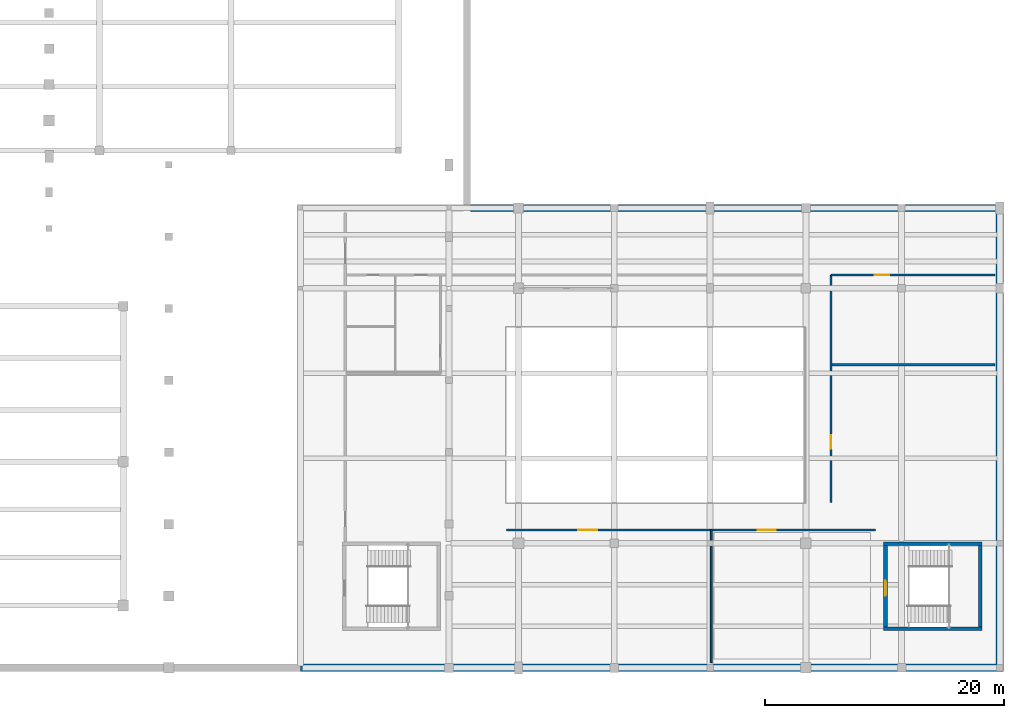
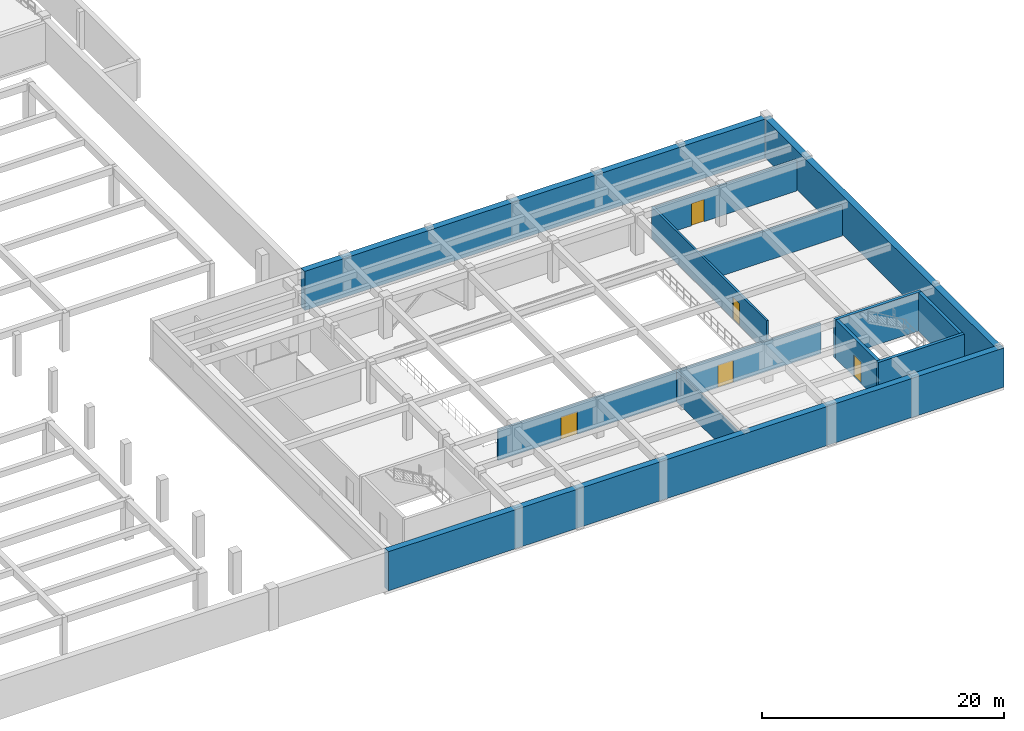
# One storey, part 27 of 35: 12 walls, 5 doors, 5 openings.
"""IFC4 building model written with IfcOpenShell, lengths in metres."""

import ifcopenshell
import ifcopenshell.guid

model = None  # the IFC model being written
_history = None  # IfcOwnerHistory: only IFC2X3 demands one
_inside = {}  # id of a spatial element -> (the spatial element, [elements in it])
_under = {}  # id of a project, library or spatial element -> (it, [spatial elements below it])
_declared = {}  # id of a project -> (the project, [libraries it declares])
_typed = {}  # id of a type object -> (the type object, [elements of that type])
_made_of = {}  # id of a material, layer set ... -> (it, [elements and type objects made of it])


def new_model(schema):
    """Start an empty IFC model of exactly this schema.

    Asked for "IFC4X3", IfcOpenShell would pick the latest addendum, in which some entities
    have other attributes; the version numbers below select the first issue.
    IFC2X3 requires an IfcOwnerHistory on every rooted entity: one is made here for all.
    """
    global model, _history
    if schema == "IFC4X3":
        model = ifcopenshell.file(schema_version=(4, 3, 0, 0))
    else:
        model = ifcopenshell.file(schema=schema)
    _inside.clear()
    _under.clear()
    _declared.clear()
    _typed.clear()
    _made_of.clear()
    _history = None
    if model.schema == "IFC2X3":
        org = make("IfcOrganization", Name="unknown")
        user = make(
            "IfcPersonAndOrganization",
            ThePerson=make("IfcPerson", FamilyName="unknown"),
            TheOrganization=org,
        )
        app = make(
            "IfcApplication",
            ApplicationDeveloper=org,
            Version="unknown",
            ApplicationFullName="unknown",
            ApplicationIdentifier="unknown",
        )
        _history = make(
            "IfcOwnerHistory",
            OwningUser=user,
            OwningApplication=app,
            ChangeAction="ADDED",
            CreationDate=0,
        )
    return model


def make(cls, **values):
    """One entity of the class cls with the attributes given. An attribute that is None is left unset."""
    return model.create_entity(
        cls, **{name: value for name, value in values.items() if value is not None}
    )


def rooted(cls, **values):
    """An entity with a GlobalId (a new one), such as an element, a storey or a relation."""
    return make(cls, GlobalId=ifcopenshell.guid.new(), OwnerHistory=_history, **values)


def si_unit(unit_type, name, prefix=None):
    """IfcSIUnit, for example si_unit("LENGTHUNIT", "METRE", prefix="MILLI")."""
    return make("IfcSIUnit", UnitType=unit_type, Prefix=prefix, Name=name)


def assignment(units):
    """IfcUnitAssignment: the units of a project."""
    return None if units is None else make("IfcUnitAssignment", Units=units)


def point(xyz):
    """IfcCartesianPoint."""
    return None if xyz is None else make("IfcCartesianPoint", Coordinates=xyz)


def direction(xyz):
    """IfcDirection."""
    return None if xyz is None else make("IfcDirection", DirectionRatios=xyz)


def frame(location, z_axis=None, x_axis=None):
    """IfcAxis2Placement3D, a coordinate frame: its origin and axes. An axis left out is left unset."""
    return make(
        "IfcAxis2Placement3D",
        Location=point(location),
        Axis=direction(z_axis),
        RefDirection=direction(x_axis),
    )


def frame_2d(location, x_axis=None):
    """IfcAxis2Placement2D, a coordinate frame in the plane: its origin and x axis."""
    return make(
        "IfcAxis2Placement2D", Location=point(location), RefDirection=direction(x_axis)
    )


def origin():
    """The frame at (0, 0, 0) with its axes left unset."""
    return frame((0.0, 0.0, 0.0))


def place(relative_to, where):
    """IfcLocalPlacement: puts the frame where relative to a parent placement (None: the world)."""
    return make(
        "IfcLocalPlacement", PlacementRelTo=relative_to, RelativePlacement=where
    )


def context(
    kind, dimensions, precision=None, world=None, true_north=None, identifier=None
):
    """IfcGeometricRepresentationContext, for example the 3D "Model" context."""
    return make(
        "IfcGeometricRepresentationContext",
        ContextIdentifier=identifier,
        ContextType=kind,
        CoordinateSpaceDimension=dimensions,
        Precision=precision,
        WorldCoordinateSystem=world,
        TrueNorth=true_north,
    )


def subcontext(parent, identifier, kind, view, scale=None):
    """IfcGeometricRepresentationSubContext, for example "Body" below "Model"."""
    return make(
        "IfcGeometricRepresentationSubContext",
        ContextIdentifier=identifier,
        ContextType=kind,
        ParentContext=parent,
        TargetScale=scale,
        TargetView=view,
    )


def project(units=None, contexts=None):
    """IfcProject with its units and contexts."""
    return rooted(
        "IfcProject",
        Name="project",
        RepresentationContexts=contexts,
        UnitsInContext=assignment(units),
    )


def spatial(cls, under=None, at=None, **own):
    """A site, building, storey or space (cls), placed at a placement, below another one or the project."""
    s = rooted(cls, ObjectPlacement=at, **own)
    if under is not None:
        _under.setdefault(under.id(), (under, []))[1].append(s)
    return s


def profile(cls, at=None, kind="AREA", **sizes):
    """A parametric profile (cls). Its sizes go by their IFC names, for example OverallWidth=200.0."""
    return make(cls, ProfileType=kind, Position=at, **sizes)


def rectangle(**sizes):
    """IfcRectangleProfileDef."""
    return profile("IfcRectangleProfileDef", **sizes)


def extrude(swept, where, along, depth):
    """IfcExtrudedAreaSolid: the profile swept, set in the frame where, extruded along a direction by depth."""
    return make(
        "IfcExtrudedAreaSolid",
        SweptArea=swept,
        Position=where,
        ExtrudedDirection=direction(along),
        Depth=depth,
    )


def shape(context_of_items, identifier, shape_type, items):
    """IfcShapeRepresentation: the items that make up one representation, for example the "Body"."""
    return make(
        "IfcShapeRepresentation",
        ContextOfItems=context_of_items,
        RepresentationIdentifier=identifier,
        RepresentationType=shape_type,
        Items=items,
    )


def material(Name=None, Category=None):
    """IfcMaterial."""
    return make("IfcMaterial", Name=Name, Category=Category)


def layer(
    of_material, thickness, ventilated=None, Name=None, Category=None, Priority=None
):
    """IfcMaterialLayer: one layer of a wall or slab, of a material (None: an air gap)."""
    return make(
        "IfcMaterialLayer",
        Material=of_material,
        LayerThickness=thickness,
        IsVentilated=ventilated,
        Name=Name,
        Category=Category,
        Priority=Priority,
    )


def layer_set(layers, Name=None):
    """IfcMaterialLayerSet."""
    return make("IfcMaterialLayerSet", MaterialLayers=layers, LayerSetName=Name)


def made_of(thing, what):
    """Note that an element or type object is made of a material, layer set ...; save() writes the relation."""
    if what is not None:
        _made_of.setdefault(what.id(), (what, []))[1].append(thing)
    return thing


def type_object(cls, material=None, **own):
    """A type object (cls), such as IfcWallType, which elements share."""
    return made_of(rooted(cls, **own), material)


def element(
    cls,
    number,
    at=None,
    inside=None,
    cuts=None,
    type_object=None,
    material=None,
    context=None,
    identifier="Body",
    shape_type=None,
    held_by="IfcProductDefinitionShape",
    body=None,
    shapes=None,
    **own,
):
    """One element of the class cls, such as IfcWall. Its Tag is "e" and its number.

    at: its placement. inside: the storey or other place that contains it. cuts: it is an
    opening in that element (IfcRelVoidsElement). A single representation is given by context,
    identifier, shape_type and body (its items); several are given by shapes. held_by: the class
    of the entity that holds the representations. save() writes the other relations.
    """
    e = rooted(cls, Tag="e%d" % number, ObjectPlacement=at, **own)
    if body is not None:
        shapes = [shape(context, identifier, shape_type, body)]
    if shapes is not None:
        e.Representation = make(held_by, Representations=shapes)
    if inside is not None:
        _inside.setdefault(inside.id(), (inside, []))[1].append(e)
    if cuts is not None:
        rooted(
            "IfcRelVoidsElement", RelatingBuildingElement=cuts, RelatedOpeningElement=e
        )
    if type_object is not None:
        _typed.setdefault(type_object.id(), (type_object, []))[1].append(e)
    return made_of(e, material)


def fill(opening, filler):
    """IfcRelFillsElement: the door or window that sits in an opening."""
    return rooted(
        "IfcRelFillsElement",
        RelatingOpeningElement=opening,
        RelatedBuildingElement=filler,
    )


def aggregate(whole, parts):
    """IfcRelAggregates: a whole, such as a stair, and the parts it consists of."""
    return rooted("IfcRelAggregates", RelatingObject=whole, RelatedObjects=parts)


def save(model, path):
    """Write the relations noted so far, then the file.

    IfcRelAggregates (storeys below a building ...), IfcRelContainedInSpatialStructure (elements
    in a storey), IfcRelDefinesByType, IfcRelAssociatesMaterial and IfcRelDeclares: one each for
    every whole, place, type object, material and project.
    """
    for whole, parts in _under.values():
        aggregate(whole, parts)
    for where, things in _inside.values():
        rooted(
            "IfcRelContainedInSpatialStructure",
            RelatedElements=things,
            RelatingStructure=where,
        )
    for kind, things in _typed.values():
        rooted("IfcRelDefinesByType", RelatedObjects=things, RelatingType=kind)
    for what, things in _made_of.values():
        rooted("IfcRelAssociatesMaterial", RelatedObjects=things, RelatingMaterial=what)
    for by, libraries in _declared.values():
        rooted("IfcRelDeclares", RelatingContext=by, RelatedDefinitions=libraries)
    model.write(path)


model = new_model("IFC4")

# Units and contexts
model_context = context("Model", 3, precision=1e-05, world=origin(), true_north=direction((0.0, 1.0)))
body_context = subcontext(model_context, "Body", "Model", "MODEL_VIEW")
ifc_project = project(units=[si_unit("LENGTHUNIT", "METRE"), si_unit("AREAUNIT", "SQUARE_METRE"), si_unit("VOLUMEUNIT", "CUBIC_METRE"), si_unit("PLANEANGLEUNIT", "RADIAN"), si_unit("MASSUNIT", "GRAM", prefix="KILO"), si_unit("THERMODYNAMICTEMPERATUREUNIT", "KELVIN"), si_unit("POWERUNIT", "WATT")], contexts=[model_context])

# Site, building, storey
site_placement = place(None, origin())
site = spatial("IfcSite", under=ifc_project, at=site_placement, CompositionType="ELEMENT")
building_placement = place(site_placement, origin())
building = spatial("IfcBuilding", under=site, at=building_placement, Name="Solvatero Civic Police Headquarters", CompositionType="ELEMENT")
storey_placement = place(building_placement, frame((0.0, 0.0, -4.199951171875)))
storey = spatial("IfcBuildingStorey", under=building, at=storey_placement, Name="B01", CompositionType="ELEMENT", Elevation=-4.199951171875)

# Wall
ifc_material_1 = material(Name="Gypsum Acoustic Stud", Category="gypsum")
ifc_layer_1 = layer(ifc_material_1, 0.14990234375)
ifc_layer_set_1 = layer_set([ifc_layer_1], Name="Gypsum Acoustic Stud")
wall_type_1 = type_object("IfcWallType", Name="WL-PTN-150", PredefinedType="PARTITIONING", material=ifc_layer_set_1)
wall_1_placement = place(storey_placement, frame((144.10009765625, 5.199951171875, 0.0), z_axis=(0.0, 0.0, 1.0), x_axis=(0.0, 1.0, 0.0)))
element("IfcWall", 1, at=wall_1_placement, inside=storey, type_object=wall_type_1, Name="Interior Partition WLP-B01-SIM-M", PredefinedType="PARTITIONING", context=body_context, shape_type="SweptSolid", body=[
    extrude(rectangle(XDim=11.10009765625, YDim=0.14990234375, at=frame_2d((5.550048828125, 0.0))), origin(), (0.0, 0.0, 1.0), 3.08984375),
])

# Wall, openings, doors
ifc_material_2 = material(Name="Concrete Blockwork", Category="masonry")
ifc_layer_2 = layer(ifc_material_2, 0.179931640625)
ifc_layer_set_2 = layer_set([ifc_layer_2], Name="Concrete Blockwork")
wall_type_2 = type_object("IfcWallType", Name="WL-PTN-180", PredefinedType="PARTITIONING", material=ifc_layer_set_2)
wall_2_placement = place(storey_placement, frame((127.0, 16.300048828125, 0.0), z_axis=(0.0, 0.0, 1.0), x_axis=(1.0, 0.0, 0.0)))
wall_2 = element("IfcWall", 2, at=wall_2_placement, inside=storey, type_object=wall_type_2, Name="Interior Partition WLP-B01-SIM-N", PredefinedType="PARTITIONING", context=body_context, shape_type="SweptSolid", body=[
    extrude(rectangle(XDim=30.800048828125, YDim=0.179931640625, at=frame_2d((15.39990234375, 0.0))), origin(), (0.0, 0.0, 1.0), 3.087890625),
])
opening_1_placement = place(wall_2_placement, frame((6.0, 0.0, 0.0)))
opening_1 = element("IfcOpeningElement", 3, at=opening_1_placement, cuts=wall_2, Name="Opening ID-15", PredefinedType="OPENING", context=body_context, shape_type="SweptSolid", body=[
    extrude(rectangle(XDim=1.60009765625, YDim=2.300048828125, at=frame_2d((0.800048828125, 1.14990234375))), frame((0.0, 0.099853515625, 0.0), z_axis=(0.0, -1.0, 0.0), x_axis=(1.0, 0.0, 0.0)), (0.0, 0.0, 1.0), 0.199951171875),
])
opening_2_placement = place(wall_2_placement, frame((21.0, 0.0, 0.0)))
opening_2 = element("IfcOpeningElement", 4, at=opening_2_placement, cuts=wall_2, Name="Opening ID-13", PredefinedType="OPENING", context=body_context, shape_type="SweptSolid", body=[
    extrude(rectangle(XDim=1.47998046875, YDim=2.280029296875, at=frame_2d((0.739990234375, 1.14013671875))), frame((0.0, 0.099853515625, 0.0), z_axis=(0.0, -1.0, 0.0), x_axis=(1.0, 0.0, 0.0)), (0.0, 0.0, 1.0), 0.199951171875),
])
ifc_material_3 = material(Name="Powder-Coated Steel", Category="steel")
door_type_1 = type_object("IfcDoorType", Name="DR-DBL-148x228", OperationType="NOTDEFINED", PredefinedType="DOOR", material=ifc_material_3)
door_1_placement = place(opening_2_placement, origin())
door_1 = element("IfcDoor", 5, at=door_1_placement, inside=storey, type_object=door_type_1, Name="Interior Door DR-B01-TBRIEF", OperationType="DOUBLE_DOOR_SINGLE_SWING", OverallHeight=2.280029296875, OverallWidth=1.47998046875, PredefinedType="DOOR", context=body_context, shape_type="SweptSolid", body=[
    extrude(rectangle(XDim=1.47998046875, YDim=2.280029296875, at=frame_2d((0.739990234375, 1.14013671875))), frame((0.0, 0.02490234375, 0.0), z_axis=(0.0, -1.0, 0.0), x_axis=(1.0, 0.0, 0.0)), (0.0, 0.0, 1.0), 0.050048828125),
])
fill(opening_2, door_1)
door_type_2 = type_object("IfcDoorType", Name="DR-DBL-160x230", OperationType="NOTDEFINED", PredefinedType="DOOR", material=ifc_material_3)
door_2_placement = place(opening_1_placement, origin())
door_2 = element("IfcDoor", 6, at=door_2_placement, inside=storey, type_object=door_type_2, Name="Interior Door DR-B01-SIM", OperationType="DOUBLE_DOOR_SINGLE_SWING", OverallHeight=2.300048828125, OverallWidth=1.60009765625, PredefinedType="DOOR", context=body_context, shape_type="SweptSolid", body=[
    extrude(rectangle(XDim=1.60009765625, YDim=2.300048828125, at=frame_2d((0.800048828125, 1.14990234375))), frame((0.0, 0.02490234375, 0.0), z_axis=(0.0, -1.0, 0.0), x_axis=(1.0, 0.0, 0.0)), (0.0, 0.0, 1.0), 0.050048828125),
])
fill(opening_1, door_2)

# Wall, opening, door
ifc_layer_3 = layer(ifc_material_2, 0.199951171875)
ifc_layer_set_3 = layer_set([ifc_layer_3], Name="Concrete Blockwork")
wall_type_3 = type_object("IfcWallType", Name="WL-PTN-200", PredefinedType="PARTITIONING", material=ifc_layer_set_3)
wall_3_placement = place(storey_placement, frame((154.10009765625, 37.60009765625, 0.0), z_axis=(0.0, 0.0, 1.0), x_axis=(1.0, 0.0, 0.0)))
wall_3 = element("IfcWall", 7, at=wall_3_placement, inside=storey, type_object=wall_type_3, Name="Interior Partition WLP-B01-CORR-SE", PredefinedType="PARTITIONING", context=body_context, shape_type="SweptSolid", body=[
    extrude(rectangle(XDim=13.699951171875, YDim=0.199951171875, at=frame_2d((6.85009765625, 0.0))), origin(), (0.0, 0.0, 1.0), 3.087890625),
])
opening_3_placement = place(wall_3_placement, frame((3.64990234375, 0.0, 0.0)))
opening_3 = element("IfcOpeningElement", 8, at=opening_3_placement, cuts=wall_3, Name="Opening ID-12", PredefinedType="OPENING", context=body_context, shape_type="SweptSolid", body=[
    extrude(rectangle(XDim=1.219970703125, YDim=2.25, at=frame_2d((0.60986328125, 1.125))), frame((0.0, 0.10986328125, 0.0), z_axis=(0.0, -1.0, 0.0), x_axis=(1.0, 0.0, 0.0)), (0.0, 0.0, 1.0), 0.219970703125),
])
door_type_3 = type_object("IfcDoorType", Name="DR-VLT-122x225", OperationType="NOTDEFINED", PredefinedType="DOOR", material=ifc_material_3)
door_3_placement = place(opening_3_placement, origin())
door_3 = element("IfcDoor", 9, at=door_3_placement, inside=storey, type_object=door_type_3, Name="Interior Door DR-B01-MVSUB", OperationType="SINGLE_SWING_RIGHT", OverallHeight=2.25, OverallWidth=1.219970703125, PredefinedType="DOOR", context=body_context, shape_type="SweptSolid", body=[
    extrude(rectangle(XDim=1.219970703125, YDim=2.25, at=frame_2d((0.60986328125, 1.125))), frame((0.0, 0.02490234375, 0.0), z_axis=(0.0, -1.0, 0.0), x_axis=(1.0, 0.0, 0.0)), (0.0, 0.0, 1.0), 0.050048828125),
])
fill(opening_3, door_3)

wall_4_placement = place(storey_placement, frame((154.10009765625, 18.60009765625, 0.0), z_axis=(0.0, 0.0, 1.0), x_axis=(0.0, 1.0, 0.0)))
wall_4 = element("IfcWall", 10, at=wall_4_placement, inside=storey, type_object=wall_type_3, Name="Interior Partition WLP-B01-PLT-W", PredefinedType="PARTITIONING", context=body_context, shape_type="SweptSolid", body=[
    extrude(rectangle(XDim=19.0, YDim=0.199951171875, at=frame_2d((9.5, 0.0))), origin(), (0.0, 0.0, 1.0), 3.18798828125),
])
opening_4_placement = place(wall_4_placement, frame((4.5, 0.0, 0.0)))
opening_4 = element("IfcOpeningElement", 11, at=opening_4_placement, cuts=wall_4, Name="Opening ID-09", PredefinedType="OPENING", context=body_context, shape_type="SweptSolid", body=[
    extrude(rectangle(XDim=1.1201171875, YDim=2.199951171875, at=frame_2d((0.56005859375, 1.10009765625))), frame((0.0, 0.10986328125, 0.0), z_axis=(0.0, -1.0, 0.0), x_axis=(1.0, 0.0, 0.0)), (0.0, 0.0, 1.0), 0.219970703125),
])
door_type_4 = type_object("IfcDoorType", Name="DR-PLT-112x220", OperationType="NOTDEFINED", PredefinedType="DOOR", material=ifc_material_3)
door_4_placement = place(opening_4_placement, origin())
door_4 = element("IfcDoor", 12, at=door_4_placement, inside=storey, type_object=door_type_4, Name="Interior Door DR-B01-GEN", OperationType="SINGLE_SWING_RIGHT", OverallHeight=2.199951171875, OverallWidth=1.1201171875, PredefinedType="DOOR", context=body_context, shape_type="SweptSolid", body=[
    extrude(rectangle(XDim=1.1201171875, YDim=2.199951171875, at=frame_2d((0.56005859375, 1.10009765625))), frame((0.0, 0.02490234375, 0.0), z_axis=(0.0, -1.0, 0.0), x_axis=(1.0, 0.0, 0.0)), (0.0, 0.0, 1.0), 0.050048828125),
])
fill(opening_4, door_4)

# Walls
wall_5_placement = place(storey_placement, frame((154.199951171875, 30.10009765625, 0.0), z_axis=(0.0, 0.0, 1.0), x_axis=(1.0, 0.0, 0.0)))
element("IfcWall", 13, at=wall_5_placement, inside=storey, type_object=wall_type_3, Name="Interior Partition WLP-B01-PLT-DIV", PredefinedType="PARTITIONING", context=body_context, shape_type="SweptSolid", body=[
    extrude(rectangle(XDim=13.60009765625, YDim=0.199951171875, at=frame_2d((6.800048828125, 0.0))), origin(), (0.0, 0.0, 1.0), 3.087890625),
])
ifc_material_4 = material(Name="Concrete C35/45", Category="concrete")
ifc_layer_4 = layer(ifc_material_4, 0.60009765625)
ifc_layer_set_4 = layer_set([ifc_layer_4], Name="Concrete C35/45")
wall_type_4 = type_object("IfcWallType", Name="WL-RET-600", PredefinedType="USERDEFINED", material=ifc_layer_set_4)
wall_6_placement = place(storey_placement, frame((109.800048828125, 4.800048828125, 0.0), z_axis=(0.0, 0.0, 1.0), x_axis=(1.0, 0.0, 0.0)))
element("IfcWall", 14, at=wall_6_placement, inside=storey, type_object=wall_type_4, Name="B01 Watertight Tanked Retaining Wall RW-PERIM-ES", ObjectType="RETAINING WALL", PredefinedType="USERDEFINED", context=body_context, shape_type="SweptSolid", body=[
    extrude(rectangle(XDim=58.699951171875, YDim=0.60009765625, at=frame_2d((29.35009765625, 0.0))), origin(), (0.0, 0.0, 1.0), 3.93994140625),
])
wall_7_placement = place(storey_placement, frame((168.199951171875, 5.10009765625, 0.0), z_axis=(0.0, 0.0, 1.0), x_axis=(0.0, 1.0, 0.0)))
element("IfcWall", 15, at=wall_7_placement, inside=storey, type_object=wall_type_4, Name="B01 Watertight Tanked Retaining Wall RW-PERIM-EE", ObjectType="RETAINING WALL", PredefinedType="USERDEFINED", context=body_context, shape_type="SweptSolid", body=[
    extrude(rectangle(XDim=38.099853515625, YDim=0.60009765625, at=frame_2d((19.0498046875, 0.0))), origin(), (0.0, 0.0, 1.0), 3.93994140625),
])
wall_8_placement = place(storey_placement, frame((124.0, 43.199951171875, 0.0), z_axis=(0.0, 0.0, 1.0), x_axis=(1.0, 0.0, 0.0)))
element("IfcWall", 16, at=wall_8_placement, inside=storey, type_object=wall_type_4, Name="B01 Watertight Tanked Retaining Wall RW-PERIM-ENE", ObjectType="RETAINING WALL", PredefinedType="USERDEFINED", context=body_context, shape_type="SweptSolid", body=[
    extrude(rectangle(XDim=43.89990234375, YDim=0.60009765625, at=frame_2d((21.949951171875, 0.0))), origin(), (0.0, 0.0, 1.0), 3.93994140625),
])
ifc_material_5 = material(Name="Concrete C40/50", Category="concrete")
ifc_layer_5 = layer(ifc_material_5, 0.300048828125)
ifc_layer_set_5 = layer_set([ifc_layer_5], Name="Concrete C40/50")
wall_type_5 = type_object("IfcWallType", Name="WL-SHR-300", PredefinedType="SHEAR", material=ifc_layer_set_5)
for number, where, z_axis, x_axis, name in (
    (17, (158.5, 8.050048828125, 0.0), (0.0, 0.0, 1.0), (1.0, 0.0, 0.0), "Core C6 Shear Wall S B01"),
    (18, (158.5, 15.14990234375, 0.0), (0.0, 0.0, 1.0), (1.0, 0.0, 0.0), "Core C6 Shear Wall N B01"),
):
    element("IfcWall", number, at=place(storey_placement, frame(where, z_axis=z_axis, x_axis=x_axis)), inside=storey, type_object=wall_type_5, Name=name, PredefinedType="SHEAR", context=body_context, shape_type="SweptSolid", body=[
        extrude(rectangle(XDim=8.199951171875, YDim=0.300048828125, at=frame_2d((4.10009765625, 0.0))), origin(), (0.0, 0.0, 1.0), 3.89990234375),
    ])

# Wall, opening, door
wall_9_placement = place(storey_placement, frame((158.64990234375, 8.199951171875, 0.0), z_axis=(0.0, 0.0, 1.0), x_axis=(0.0, 1.0, 0.0)))
wall_9 = element("IfcWall", 19, at=wall_9_placement, inside=storey, type_object=wall_type_5, Name="Core C6 Shear Wall W B01", PredefinedType="SHEAR", context=body_context, shape_type="SweptSolid", body=[
    extrude(rectangle(XDim=6.800048828125, YDim=0.300048828125, at=frame_2d((3.39990234375, 0.0))), origin(), (0.0, 0.0, 1.0), 3.89990234375),
])
opening_5_placement = place(wall_9_placement, frame((2.60009765625, 0.0, 0.0)))
opening_5 = element("IfcOpeningElement", 20, at=opening_5_placement, cuts=wall_9, Name="Opening FD-01", PredefinedType="OPENING", context=body_context, shape_type="SweptSolid", body=[
    extrude(rectangle(XDim=1.25, YDim=2.199951171875, at=frame_2d((0.625, 1.10009765625))), frame((0.0, 0.159912109375, 0.0), z_axis=(0.0, -1.0, 0.0), x_axis=(1.0, 0.0, 0.0)), (0.0, 0.0, 1.0), 0.320068359375),
])
door_type_5 = type_object("IfcDoorType", Name="DR-STR-125x220", OperationType="NOTDEFINED", PredefinedType="DOOR", material=ifc_material_3)
door_5_placement = place(opening_5_placement, origin())
door_5 = element("IfcDoor", 21, at=door_5_placement, inside=storey, type_object=door_type_5, Name="Interior Door DR-STR-C6-B01", OperationType="SINGLE_SWING_LEFT", OverallHeight=2.199951171875, OverallWidth=1.25, PredefinedType="DOOR", context=body_context, shape_type="SweptSolid", body=[
    extrude(rectangle(XDim=1.25, YDim=2.199951171875, at=frame_2d((0.625, 1.10009765625))), frame((0.0, 0.02490234375, 0.0), z_axis=(0.0, -1.0, 0.0), x_axis=(1.0, 0.0, 0.0)), (0.0, 0.0, 1.0), 0.050048828125),
])
fill(opening_5, door_5)

# Wall
wall_10_placement = place(storey_placement, frame((166.550048828125, 8.199951171875, 0.0), z_axis=(0.0, 0.0, 1.0), x_axis=(0.0, 1.0, 0.0)))
element("IfcWall", 22, at=wall_10_placement, inside=storey, type_object=wall_type_5, Name="Core C6 Shear Wall E B01", PredefinedType="SHEAR", context=body_context, shape_type="SweptSolid", body=[
    extrude(rectangle(XDim=6.800048828125, YDim=0.300048828125, at=frame_2d((3.39990234375, 0.0))), origin(), (0.0, 0.0, 1.0), 3.89990234375),
])

save(model, "model.ifc")
